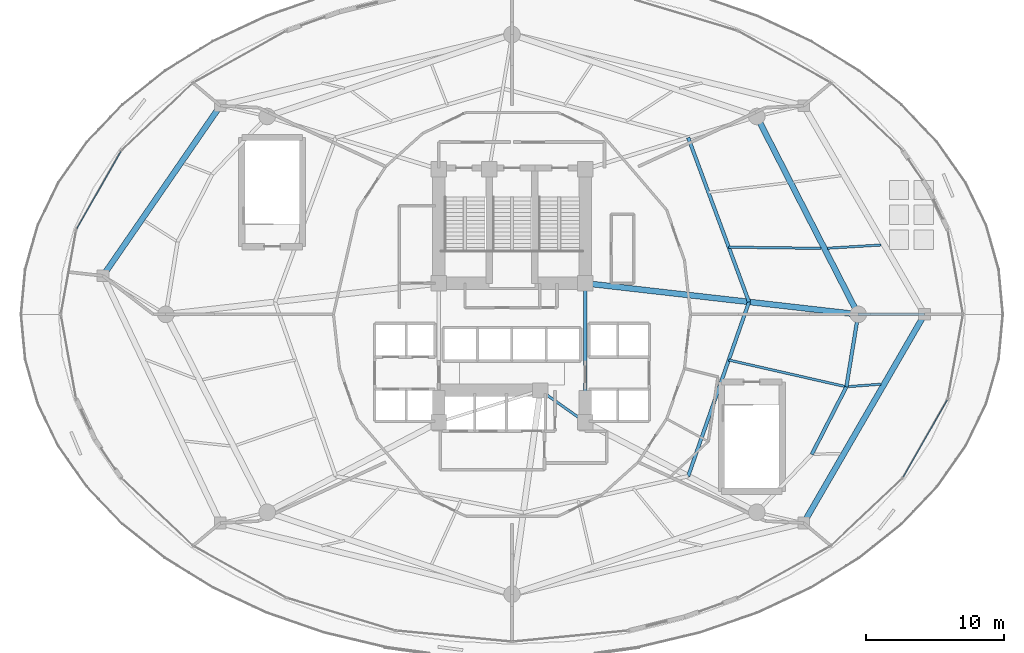
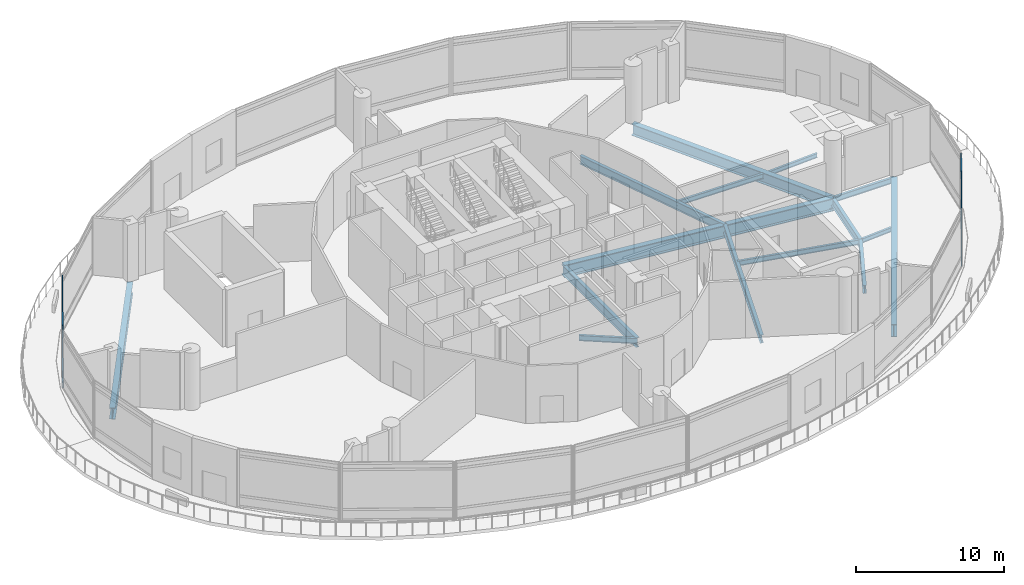
# One storey, part 14 of 34: 15 beams, 8 members, 2 elements without a shape of their own.
"""IFC4 building model written with IfcOpenShell, lengths in metres."""

from ifc_helpers import new_model, si_unit, direction, frame, origin, origin_2d, place, context, subcontext, project, spatial, hollow_rectangle, i_section, extrude, material, layer, layer_set, material_profile, profile_set, type_object, element, aggregate, save


model = new_model("IFC4")

# Units and contexts
model_context = context("Model", 3, precision=1e-05, world=origin(), true_north=direction((0.0, 1.0)))
body_context = subcontext(model_context, "Body", "Model", "MODEL_VIEW")
ifc_project = project(units=[si_unit("LENGTHUNIT", "METRE"), si_unit("AREAUNIT", "SQUARE_METRE"), si_unit("VOLUMEUNIT", "CUBIC_METRE"), si_unit("PLANEANGLEUNIT", "RADIAN"), si_unit("MASSUNIT", "GRAM", prefix="KILO")], contexts=[model_context])

# Site, building, storey
site_placement = place(None, origin())
site = spatial("IfcSite", under=ifc_project, at=site_placement, CompositionType="ELEMENT")
building_placement = place(site_placement, origin())
building = spatial("IfcBuilding", under=site, at=building_placement, Name="Nuhasar Tower", CompositionType="ELEMENT")
storey_placement = place(building_placement, frame((0.0, 0.0, 16.0)))
storey = spatial("IfcBuildingStorey", under=building, at=storey_placement, Name="L03", CompositionType="ELEMENT", Elevation=16.0)

# Beams
ifc_material_1 = material(Name="Steel S355", Category="steel")
ifc_material_profile_1 = material_profile(ifc_material_1, i_section(OverallWidth=0.25390625, OverallDepth=0.68408203125, WebThickness=0.012451171875, FlangeThickness=0.018798828125, at=origin_2d()), Name="W27X94")
ifc_profile_set_1 = profile_set([ifc_material_profile_1], Name="Steel S355")
beam_type_1 = type_object("IfcBeamType", Name="BM-INRING-W27X94", PredefinedType="BEAM", material=ifc_profile_set_1)
beam_1_placement = place(storey_placement, frame((51.748046875, 15.089111328125, -0.64208984375), z_axis=(0.329554049858, 0.944136710558, 0.0), x_axis=(-0.944136710558, 0.329554049858, 0.0)))
element("IfcBeam", 1, at=beam_1_placement, inside=storey, type_object=beam_type_1, Name="L03 Inner Header Beam 03", PredefinedType="BEAM", context=body_context, shape_type="SweptSolid", body=[
    extrude(i_section(OverallWidth=0.25390625, OverallDepth=0.68408203125, WebThickness=0.012451171875, FlangeThickness=0.018798828125, at=origin_2d()), origin(), (0.0, 0.0, 1.0), 13.35693359375),
])
beam_2_placement = place(storey_placement, frame((56.14990234375, 27.699951171875, -0.64208984375), z_axis=(-0.34715757476, 0.937806812881, 0.0), x_axis=(-0.937806812881, -0.34715757476, 0.0)))
element("IfcBeam", 2, at=beam_2_placement, inside=storey, type_object=beam_type_1, Name="L03 Inner Header Beam 04", PredefinedType="BEAM", context=body_context, shape_type="SweptSolid", body=[
    extrude(i_section(OverallWidth=0.25390625, OverallDepth=0.68408203125, WebThickness=0.012451171875, FlangeThickness=0.018798828125, at=origin_2d()), origin(), (0.0, 0.0, 1.0), 12.6796875),
])
ifc_material_profile_2 = material_profile(ifc_material_1, i_section(OverallWidth=0.1708984375, OverallDepth=0.35205078125, WebThickness=0.0068359375, FlangeThickness=0.009765625, at=origin_2d()), Name="W14X30")
ifc_profile_set_2 = profile_set([ifc_material_profile_2], Name="Steel S355")
beam_type_2 = type_object("IfcBeamType", Name="BM-JST-W14X30", PredefinedType="JOIST", material=ifc_profile_set_2)
beam_3_placement = place(storey_placement, frame((63.341064453125, 21.570068359375, -0.47607421875), z_axis=(0.997103115236, 0.076061669629, 0.0), x_axis=(-0.076061669629, 0.997103115236, 0.0)))
element("IfcBeam", 3, at=beam_3_placement, inside=storey, type_object=beam_type_2, Name="L03 Podium Secondary Joist 06", PredefinedType="JOIST", context=body_context, shape_type="SweptSolid", body=[
    extrude(i_section(OverallWidth=0.1708984375, OverallDepth=0.35205078125, WebThickness=0.0068359375, FlangeThickness=0.009765625, at=origin_2d()), origin(), (0.0, 0.0, 1.0), 2.352783203125),
])
beam_4_placement = place(storey_placement, frame((61.8291015625, 31.5859375, -0.47607421875), z_axis=(0.998196568367, 0.060030083299, 0.0), x_axis=(-0.060030083299, 0.998196568367, 0.0)))
element("IfcBeam", 4, at=beam_4_placement, inside=storey, type_object=beam_type_2, Name="L03 Podium Secondary Joist 07", PredefinedType="JOIST", context=body_context, shape_type="SweptSolid", body=[
    extrude(i_section(OverallWidth=0.1708984375, OverallDepth=0.35205078125, WebThickness=0.0068359375, FlangeThickness=0.009765625, at=origin_2d()), origin(), (0.0, 0.0, 1.0), 3.884033203125),
])
ifc_material_profile_3 = material_profile(ifc_material_1, i_section(OverallWidth=0.177978515625, OverallDepth=0.406005859375, WebThickness=0.0078125, FlangeThickness=0.0126953125, at=origin_2d()), Name="W16X40")
ifc_profile_set_3 = profile_set([ifc_material_profile_3], Name="Steel S355")
beam_type_3 = type_object("IfcBeamType", Name="BM-JST-W16X40", PredefinedType="JOIST", material=ifc_profile_set_3)
beam_5_placement = place(storey_placement, frame((54.68310546875, 23.49609375, -0.5029296875), z_axis=(0.975061715499, -0.221933888733, 0.0), x_axis=(0.221933888733, 0.975061715499, 0.0)))
element("IfcBeam", 5, at=beam_5_placement, inside=storey, type_object=beam_type_3, Name="L03 Secondary Floor Joist 06", PredefinedType="JOIST", context=body_context, shape_type="SweptSolid", body=[
    extrude(i_section(OverallWidth=0.177978515625, OverallDepth=0.406005859375, WebThickness=0.0078125, FlangeThickness=0.0126953125, at=origin_2d()), origin(), (0.0, 0.0, 1.0), 8.6025390625),
])
beam_6_placement = place(storey_placement, frame((54.68310546875, 31.6640625, -0.5029296875), z_axis=(0.999913180567, -0.013176924078, 0.0), x_axis=(0.013176924078, 0.999913180567, 0.0)))
element("IfcBeam", 6, at=beam_6_placement, inside=storey, type_object=beam_type_3, Name="L03 Secondary Floor Joist 07", PredefinedType="JOIST", context=body_context, shape_type="SweptSolid", body=[
    extrude(i_section(OverallWidth=0.177978515625, OverallDepth=0.406005859375, WebThickness=0.0078125, FlangeThickness=0.0126953125, at=origin_2d()), origin(), (0.0, 0.0, 1.0), 6.6884765625),
])
ifc_material_profile_4 = material_profile(ifc_material_1, i_section(OverallWidth=0.419921875, OverallDepth=0.931884765625, WebThickness=0.021240234375, FlangeThickness=0.03662109375, at=origin_2d()), Name="W36X262")
ifc_profile_set_4 = profile_set([ifc_material_profile_4], Name="Steel S355")
beam_type_4 = type_object("IfcBeamType", Name="BM-POD-W36X262", PredefinedType="BEAM", material=ifc_profile_set_4)
beam_7_placement = place(storey_placement, frame((64.050048828125, 26.800048828125, -0.76611328125), z_axis=(-0.456029199343, 0.889964813544, 0.0), x_axis=(-0.889964813544, -0.456029199343, 0.0)))
element("IfcBeam", 7, at=beam_7_placement, inside=storey, type_object=beam_type_4, Name="L03 Mega-Column Ring Girder 04", PredefinedType="BEAM", context=body_context, shape_type="SweptSolid", body=[
    extrude(i_section(OverallWidth=0.419921875, OverallDepth=0.931884765625, WebThickness=0.021240234375, FlangeThickness=0.03662109375, at=origin_2d()), origin(), (0.0, 0.0, 1.0), 16.089111328125),
])
beam_8_placement = place(storey_placement, frame((17.89306640625, 41.89697265625, -0.76611328125), z_axis=(-0.567657789101, -0.823264619957, 0.0), x_axis=(0.823264619957, -0.567657789101, 0.0)))
element("IfcBeam", 8, at=beam_8_placement, inside=storey, type_object=beam_type_4, Name="L03 Podium Ring Girder 07", PredefinedType="BEAM", context=body_context, shape_type="SweptSolid", body=[
    extrude(i_section(OverallWidth=0.419921875, OverallDepth=0.931884765625, WebThickness=0.021240234375, FlangeThickness=0.03662109375, at=origin_2d()), origin(), (0.0, 0.0, 1.0), 14.95263671875),
])
ifc_material_profile_5 = material_profile(ifc_material_1, i_section(OverallWidth=0.18994140625, OverallDepth=0.45703125, WebThickness=0.009033203125, FlangeThickness=0.014404296875, at=origin_2d()), Name="W18X50")
ifc_profile_set_5 = profile_set([ifc_material_profile_5], Name="Steel S355")
beam_type_5 = type_object("IfcBeamType", Name="BM-RAD-W18X50", PredefinedType="BEAM", material=ifc_profile_set_5)
beam_9_placement = place(storey_placement, frame((41.050048828125, 21.300048828125, -0.529052734375), z_axis=(0.816265428953, -0.577677028708, 0.0), x_axis=(0.577677028708, 0.816265428953, 0.0)))
element("IfcBeam", 9, at=beam_9_placement, inside=storey, type_object=beam_type_5, Name="L03 Core Ring Girder 2", PredefinedType="BEAM", context=body_context, shape_type="SweptSolid", body=[
    extrude(i_section(OverallWidth=0.18994140625, OverallDepth=0.45703125, WebThickness=0.009033203125, FlangeThickness=0.014404296875, at=origin_2d()), origin(), (0.0, 0.0, 1.0), 3.9814453125),
])
beam_10_placement = place(storey_placement, frame((64.050048828125, 26.800048828125, -0.529052734375), z_axis=(1.0, 0.0, 0.0), x_axis=(0.0, 1.0, 0.0)))
element("IfcBeam", 10, at=beam_10_placement, inside=storey, type_object=beam_type_5, Name="L03 Podium Radial Girder 04", PredefinedType="BEAM", context=body_context, shape_type="SweptSolid", body=[
    extrude(i_section(OverallWidth=0.18994140625, OverallDepth=0.45703125, WebThickness=0.009033203125, FlangeThickness=0.014404296875, at=origin_2d()), origin(), (0.0, 0.0, 1.0), 4.800048828125),
])
ifc_material_profile_6 = material_profile(ifc_material_1, i_section(OverallWidth=0.26611328125, OverallDepth=0.779052734375, WebThickness=0.0166015625, FlangeThickness=0.030029296875, at=origin_2d()), Name="W30X148")
ifc_profile_set_6 = profile_set([ifc_material_profile_6], Name="Steel S355")
beam_type_6 = type_object("IfcBeamType", Name="BM-RAD-W30X148", PredefinedType="BEAM", material=ifc_profile_set_6)
beam_11_placement = place(storey_placement, frame((44.300048828125, 19.0, -0.68994140625), z_axis=(0.0, 1.0, 0.0), x_axis=(-1.0, 0.0, 0.0)))
element("IfcBeam", 11, at=beam_11_placement, inside=storey, type_object=beam_type_6, Name="L03 Core Ring Girder 3", PredefinedType="BEAM", context=body_context, shape_type="SweptSolid", body=[
    extrude(i_section(OverallWidth=0.26611328125, OverallDepth=0.779052734375, WebThickness=0.0166015625, FlangeThickness=0.030029296875, at=origin_2d()), origin(), (0.0, 0.0, 1.0), 10.050048828125),
])
ifc_material_profile_7 = material_profile(ifc_material_1, i_section(OverallWidth=0.256103515625, OverallDepth=0.693115234375, WebThickness=0.014404296875, FlangeThickness=0.023681640625, at=origin_2d()), Name="W27X114")
ifc_profile_set_7 = profile_set([ifc_material_profile_7], Name="Steel S355")
beam_type_7 = type_object("IfcBeamType", Name="BM-RING-W27X114", PredefinedType="SPANDREL", material=ifc_profile_set_7)
beam_12_placement = place(storey_placement, frame((60.694091796875, 16.675048828125, -0.64697265625), z_axis=(0.455930023905, 0.890015625314, 0.0), x_axis=(-0.890015625314, 0.455930023905, 0.0)))
element("IfcBeam", 12, at=beam_12_placement, inside=storey, type_object=beam_type_7, Name="L03 Mega-Column Perimeter Ring Spandrel 03-2", PredefinedType="SPANDREL", context=body_context, shape_type="SweptSolid", body=[
    extrude(i_section(OverallWidth=0.256103515625, OverallDepth=0.693115234375, WebThickness=0.014404296875, FlangeThickness=0.023681640625, at=origin_2d()), origin(), (0.0, 0.0, 1.0), 5.487548828125),
])
beam_13_placement = place(storey_placement, frame((63.196044921875, 21.55908203125, -0.64697265625), z_axis=(0.160826635486, 0.986982671235, 0.0), x_axis=(-0.986982671235, 0.160826635486, 0.0)))
element("IfcBeam", 13, at=beam_13_placement, inside=storey, type_object=beam_type_7, Name="L03 Mega-Column Perimeter Ring Spandrel 03-3", PredefinedType="SPANDREL", context=body_context, shape_type="SweptSolid", body=[
    extrude(i_section(OverallWidth=0.256103515625, OverallDepth=0.693115234375, WebThickness=0.014404296875, FlangeThickness=0.023681640625, at=origin_2d()), origin(), (0.0, 0.0, 1.0), 5.31005859375),
])
ifc_material_2 = material(Name="Steel S460", Category="steel")
ifc_material_profile_8 = material_profile(ifc_material_2, i_section(OverallWidth=0.419921875, OverallDepth=1.0400390625, WebThickness=0.031005859375, FlangeThickness=0.055908203125, at=origin_2d()), Name="W40X397")
ifc_profile_set_8 = profile_set([ifc_material_profile_8], Name="Steel S460")
beam_type_8 = type_object("IfcBeamType", Name="BM-XFER-W40X397", PredefinedType="USERDEFINED", material=ifc_profile_set_8)
beam_14_placement = place(storey_placement, frame((44.300048828125, 29.050048828125, -0.820068359375), z_axis=(0.993573147212, -0.113191877531, 0.0), x_axis=(0.113191877531, 0.993573147212, 0.0)))
element("IfcBeam", 14, at=beam_14_placement, inside=storey, type_object=beam_type_8, Name="L03 Radial Floor Girder 04", ObjectType="GIRDER", PredefinedType="USERDEFINED", context=body_context, shape_type="SweptSolid", body=[
    extrude(i_section(OverallWidth=0.419921875, OverallDepth=1.0400390625, WebThickness=0.031005859375, FlangeThickness=0.055908203125, at=origin_2d()), origin(), (0.0, 0.0, 1.0), 19.877685546875),
])
beam_15_placement = place(storey_placement, frame((60.10693359375, 11.702880859375, -0.820068359375), z_axis=(0.501152108266, 0.865359211184, 0.0), x_axis=(-0.865359211184, 0.501152108266, 0.0)))
element("IfcBeam", 15, at=beam_15_placement, inside=storey, type_object=beam_type_8, Name="L03 Podium Ring Girder 03", ObjectType="GIRDER", PredefinedType="USERDEFINED", context=body_context, shape_type="SweptSolid", body=[
    extrude(i_section(OverallWidth=0.419921875, OverallDepth=1.0400390625, WebThickness=0.031005859375, FlangeThickness=0.055908203125, at=origin_2d()), origin(), (0.0, 0.0, 1.0), 17.446044921875),
])

# Curtain wall, members
ifc_material_3 = material(Name="Aluminium 6063-T6", Category="aluminium")
ifc_layer = layer(ifc_material_3, 0.219970703125)
ifc_layer_set = layer_set([ifc_layer], Name="Aluminium 6063-T6")
curtain_wall_type = type_object("IfcCurtainWallType", Name="CW-PODIUM", PredefinedType="NOTDEFINED", material=ifc_layer_set)
curtain_wall_1_placement = place(storey_placement, origin())
curtain_wall_1 = element("IfcCurtainWall", 16, at=curtain_wall_1_placement, inside=storey, type_object=curtain_wall_type, Name="L03 Podium Curtain Wall Bay 11", PredefinedType="NOTDEFINED")
ifc_material_profile_9 = material_profile(ifc_material_3, hollow_rectangle(XDim=0.074951171875, YDim=0.179931640625, WallThickness=0.00439453125, at=origin_2d()), Name="CWT-1")
ifc_profile_set_9 = profile_set([ifc_material_profile_9], Name="Aluminium 6063-T6")
member_type = type_object("IfcMemberType", Name="CW-TRN-S1", PredefinedType="USERDEFINED", material=ifc_profile_set_9)
member_1_placement = place(storey_placement, frame((10.69580078125, 38.579833984375, 0.03759765625), z_axis=(-0.495648106835, -0.8685234333, 0.0), x_axis=(0.8685234333, -0.495648106835, 0.0)))
member_1 = element("IfcMember", 17, at=member_1_placement, type_object=member_type, Name="CW-P1 transom 1.1", ObjectType="TRANSOM", PredefinedType="USERDEFINED", context=body_context, shape_type="SweptSolid", body=[
    extrude(hollow_rectangle(XDim=0.074951171875, YDim=0.179931640625, WallThickness=0.00439453125, at=origin_2d()), origin(), (0.0, 0.0, 1.0), 6.428955078125),
])
member_2_placement = place(storey_placement, frame((10.69580078125, 38.579833984375, 0.89990234375), z_axis=(-0.495648106835, -0.8685234333, 0.0), x_axis=(0.8685234333, -0.495648106835, 0.0)))
member_2 = element("IfcMember", 18, at=member_2_placement, type_object=member_type, Name="CW-P1 transom 1.2", ObjectType="TRANSOM", PredefinedType="USERDEFINED", context=body_context, shape_type="SweptSolid", body=[
    extrude(hollow_rectangle(XDim=0.074951171875, YDim=0.179931640625, WallThickness=0.00439453125, at=origin_2d()), origin(), (0.0, 0.0, 1.0), 6.428955078125),
])
member_3_placement = place(storey_placement, frame((10.69580078125, 38.579833984375, 4.18994140625), z_axis=(-0.495648106835, -0.8685234333, 0.0), x_axis=(0.8685234333, -0.495648106835, 0.0)))
member_3 = element("IfcMember", 19, at=member_3_placement, type_object=member_type, Name="CW-P1 transom 1.3", ObjectType="TRANSOM", PredefinedType="USERDEFINED", context=body_context, shape_type="SweptSolid", body=[
    extrude(hollow_rectangle(XDim=0.074951171875, YDim=0.179931640625, WallThickness=0.00439453125, at=origin_2d()), origin(), (0.0, 0.0, 1.0), 6.428955078125),
])
member_4_placement = place(storey_placement, frame((10.69580078125, 38.579833984375, 4.702392578125), z_axis=(-0.495648106835, -0.8685234333, 0.0), x_axis=(0.8685234333, -0.495648106835, 0.0)))
member_4 = element("IfcMember", 20, at=member_4_placement, type_object=member_type, Name="CW-P1 transom 1.4", ObjectType="TRANSOM", PredefinedType="USERDEFINED", context=body_context, shape_type="SweptSolid", body=[
    extrude(hollow_rectangle(XDim=0.074951171875, YDim=0.179931640625, WallThickness=0.00439453125, at=origin_2d()), origin(), (0.0, 0.0, 1.0), 6.428955078125),
])
aggregate(curtain_wall_1, [member_1, member_2, member_3, member_4])

curtain_wall_2_placement = place(storey_placement, origin())
curtain_wall_2 = element("IfcCurtainWall", 21, at=curtain_wall_2_placement, inside=storey, type_object=curtain_wall_type, Name="L03 Podium Curtain Wall Bay 23", PredefinedType="NOTDEFINED")
member_5_placement = place(storey_placement, frame((67.30419921875, 15.02001953125, 0.03759765625), z_axis=(0.495648106835, 0.8685234333, 0.0), x_axis=(-0.8685234333, 0.495648106835, 0.0)))
member_5 = element("IfcMember", 22, at=member_5_placement, type_object=member_type, Name="CW-P1 transom 1.1", ObjectType="TRANSOM", PredefinedType="USERDEFINED", context=body_context, shape_type="SweptSolid", body=[
    extrude(hollow_rectangle(XDim=0.074951171875, YDim=0.179931640625, WallThickness=0.00439453125, at=origin_2d()), origin(), (0.0, 0.0, 1.0), 6.428955078125),
])
member_6_placement = place(storey_placement, frame((67.30419921875, 15.02001953125, 0.89990234375), z_axis=(0.495648106835, 0.8685234333, 0.0), x_axis=(-0.8685234333, 0.495648106835, 0.0)))
member_6 = element("IfcMember", 23, at=member_6_placement, type_object=member_type, Name="CW-P1 transom 1.2", ObjectType="TRANSOM", PredefinedType="USERDEFINED", context=body_context, shape_type="SweptSolid", body=[
    extrude(hollow_rectangle(XDim=0.074951171875, YDim=0.179931640625, WallThickness=0.00439453125, at=origin_2d()), origin(), (0.0, 0.0, 1.0), 6.428955078125),
])
member_7_placement = place(storey_placement, frame((67.30419921875, 15.02001953125, 4.18994140625), z_axis=(0.495648106835, 0.8685234333, 0.0), x_axis=(-0.8685234333, 0.495648106835, 0.0)))
member_7 = element("IfcMember", 24, at=member_7_placement, type_object=member_type, Name="CW-P1 transom 1.3", ObjectType="TRANSOM", PredefinedType="USERDEFINED", context=body_context, shape_type="SweptSolid", body=[
    extrude(hollow_rectangle(XDim=0.074951171875, YDim=0.179931640625, WallThickness=0.00439453125, at=origin_2d()), origin(), (0.0, 0.0, 1.0), 6.428955078125),
])
member_8_placement = place(storey_placement, frame((67.30419921875, 15.02001953125, 4.702392578125), z_axis=(0.495648106835, 0.8685234333, 0.0), x_axis=(-0.8685234333, 0.495648106835, 0.0)))
member_8 = element("IfcMember", 25, at=member_8_placement, type_object=member_type, Name="CW-P1 transom 1.4", ObjectType="TRANSOM", PredefinedType="USERDEFINED", context=body_context, shape_type="SweptSolid", body=[
    extrude(hollow_rectangle(XDim=0.074951171875, YDim=0.179931640625, WallThickness=0.00439453125, at=origin_2d()), origin(), (0.0, 0.0, 1.0), 6.428955078125),
])
aggregate(curtain_wall_2, [member_5, member_6, member_7, member_8])

save(model, "model.ifc")
